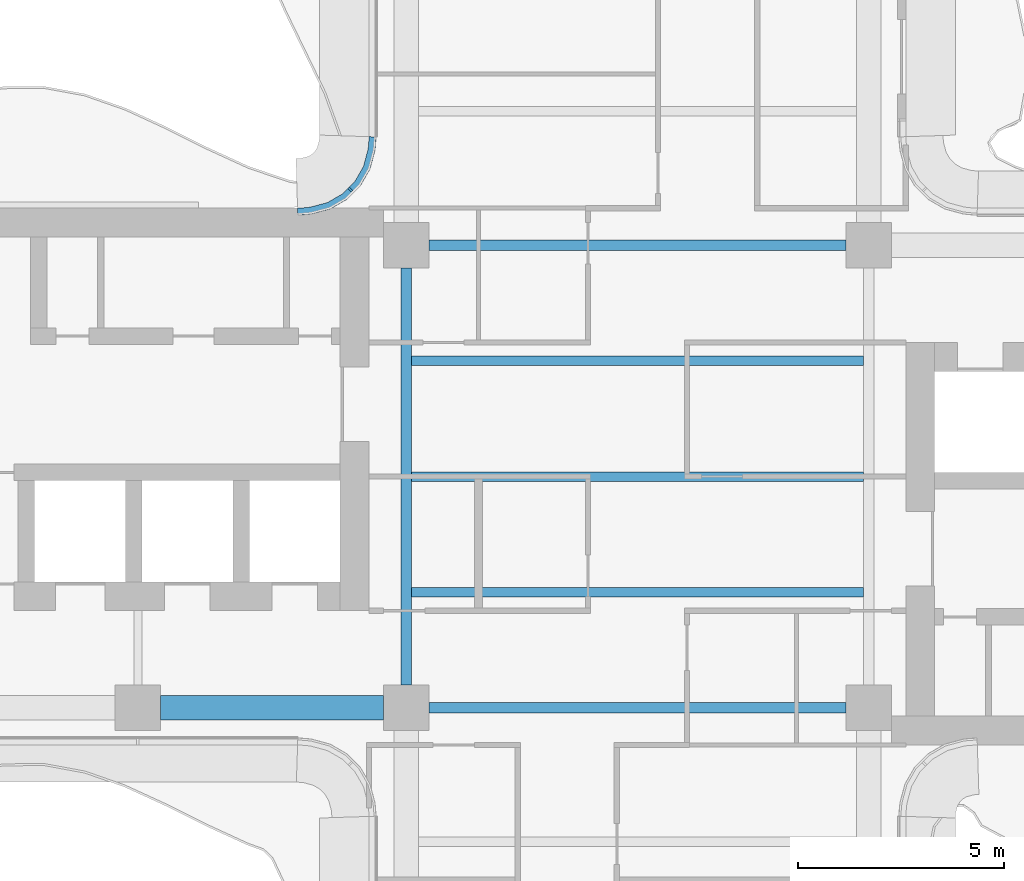
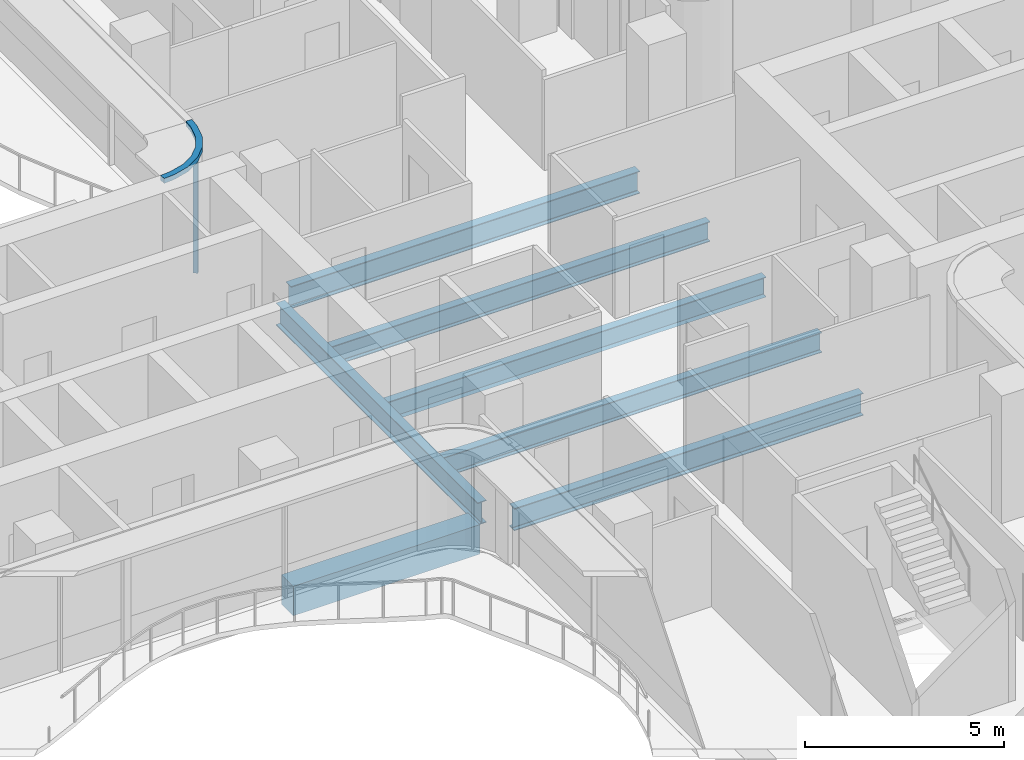
# One storey, part 4 of 17: 7 beams, 2 members, 1 element without a shape of its own.
"""IFC4 building model written with IfcOpenShell, lengths in metres."""

from ifc_helpers import new_model, si_unit, direction, frame, origin, origin_2d, place, context, subcontext, project, spatial, polyline, rectangle, i_section, outline, extrude, source, transform, mapped, material, layer, layer_set, material_profile, profile_set, type_object, element, aggregate, save


model = new_model("IFC4")

# Units and contexts
model_context = context("Model", 3, precision=1e-05, world=origin(), true_north=direction((0.0, 1.0)))
body_context = subcontext(model_context, "Body", "Model", "MODEL_VIEW")
ifc_project = project(units=[si_unit("LENGTHUNIT", "METRE"), si_unit("AREAUNIT", "SQUARE_METRE"), si_unit("VOLUMEUNIT", "CUBIC_METRE"), si_unit("PLANEANGLEUNIT", "RADIAN"), si_unit("MASSUNIT", "GRAM", prefix="KILO")], contexts=[model_context])

# Site, building, storey
site_placement = place(None, origin())
site = spatial("IfcSite", under=ifc_project, at=site_placement, CompositionType="ELEMENT")
building_placement = place(site_placement, origin())
building = spatial("IfcBuilding", under=site, at=building_placement, Name="Trellis Farm Tower", CompositionType="ELEMENT")
storey_placement = place(building_placement, frame((0.0, 0.0, 259.699951171875)))
storey = spatial("IfcBuildingStorey", under=building, at=storey_placement, Name="L58", CompositionType="ELEMENT", Elevation=259.699951171875)

# Beams
ifc_material_1 = material(Name="Steel S355", Category="steel")
ifc_material_profile_1 = material_profile(ifc_material_1, i_section(OverallWidth=0.22900390625, OverallDepth=0.6123046875, WebThickness=0.011962890625, FlangeThickness=0.01953125, FilletRadius=0.0126953125, at=origin_2d()), Name="UB 610x229x125")
ifc_profile_set_1 = profile_set([ifc_material_profile_1], Name="Steel S355")
beam_type_1 = type_object("IfcBeamType", Name="UB 610x229x125 joist", PredefinedType="JOIST", material=ifc_profile_set_1)
shared_shape_1 = source(origin(), body_context, "Body", "SweptSolid", [
    extrude(i_section(OverallWidth=0.22900390625, OverallDepth=0.6123046875, WebThickness=0.011962890625, FlangeThickness=0.01953125, FilletRadius=0.0126953125, at=origin_2d()), origin(), (0.0, 0.0, 1.0), 10.9462890625),
])
for number, where, z_axis, x_axis, name in (
    (1, (-5.47314453125, -2.800048828125, -0.506103515625), (1.0, 0.0, 0.0), (0.0, 1.0, 0.0), "Floor beam"),
    (2, (-5.47314453125, 0.0, -0.506103515625), (1.0, 0.0, 0.0), (0.0, 1.0, 0.0), "Floor beam"),
    (3, (-5.47314453125, 2.800048828125, -0.506103515625), (1.0, 0.0, 0.0), (0.0, 1.0, 0.0), "Floor beam"),
):
    element("IfcBeam", number, at=place(storey_placement, frame(where, z_axis=z_axis, x_axis=x_axis)), inside=storey, type_object=beam_type_1, Name=name, PredefinedType="JOIST", context=body_context, shape_type="MappedRepresentation", body=[
        mapped(shared_shape_1, transform((0.0, 0.0, 0.0))),
    ])
ifc_material_profile_2 = material_profile(ifc_material_1, i_section(OverallWidth=0.253662109375, OverallDepth=0.68359375, WebThickness=0.012451171875, FlangeThickness=0.021728515625, FilletRadius=0.01513671875, at=origin_2d()), Name="UB 686x254x140")
ifc_profile_set_2 = profile_set([ifc_material_profile_2], Name="Steel S355")
beam_type_2 = type_object("IfcBeamType", Name="UB 686x254x140", PredefinedType="BEAM", material=ifc_profile_set_2)
shared_shape_2 = source(origin(), body_context, "Body", "SweptSolid", [
    extrude(i_section(OverallWidth=0.253662109375, OverallDepth=0.68359375, WebThickness=0.012451171875, FlangeThickness=0.021728515625, FilletRadius=0.01513671875, at=origin_2d()), origin(), (0.0, 0.0, 1.0), 10.10009765625),
])
for number, where, z_axis, x_axis, name in (
    (4, (-5.050048828125, -5.60009765625, -0.541748046875), (1.0, 0.0, 0.0), (0.0, 1.0, 0.0), "Girder"),
    (5, (-5.050048828125, 5.60009765625, -0.541748046875), (1.0, 0.0, 0.0), (0.0, 1.0, 0.0), "Girder"),
    (6, (-5.60009765625, -5.050048828125, -0.541748046875), (0.0, 1.0, 0.0), (-1.0, 0.0, 0.0), "Girder"),
):
    element("IfcBeam", number, at=place(storey_placement, frame(where, z_axis=z_axis, x_axis=x_axis)), inside=storey, type_object=beam_type_2, Name=name, PredefinedType="BEAM", context=body_context, shape_type="MappedRepresentation", body=[
        mapped(shared_shape_2, transform((0.0, 0.0, 0.0))),
    ])
ifc_material_2 = material(Name="Concrete C60/75", Category="concrete")
ifc_material_profile_3 = material_profile(ifc_material_2, rectangle(XDim=0.60009765625, YDim=0.89990234375, at=origin_2d()), Name="RC spandrel beam 600x900 C60/75")
ifc_profile_set_3 = profile_set([ifc_material_profile_3], Name="Concrete C60/75")
beam_type_3 = type_object("IfcBeamType", Name="RC spandrel beam 600x900 C60/75", PredefinedType="SPANDREL", material=ifc_profile_set_3)
shared_shape_3 = source(origin(), body_context, "Body", "SweptSolid", [
    extrude(rectangle(XDim=0.60009765625, YDim=0.89990234375, at=origin_2d()), origin(), (0.0, 0.0, 1.0), 5.400146484375),
])
beam_placement = place(storey_placement, frame((-11.550048828125, -5.60009765625, -0.64990234375), z_axis=(1.0, 0.0, 0.0), x_axis=(0.0, 1.0, 0.0)))
element("IfcBeam", 7, at=beam_placement, inside=storey, type_object=beam_type_3, Name="Girder", PredefinedType="SPANDREL", context=body_context, shape_type="MappedRepresentation", body=[
    mapped(shared_shape_3, transform((0.0, 0.0, 0.0))),
])

# Curtain wall, members
ifc_material_3 = material(Name="Aluminium and glass curtain wall", Category="aluminium")
ifc_layer_1 = layer(ifc_material_3, 0.166015625)
ifc_layer_set_1 = layer_set([ifc_layer_1], Name="WINTER GARDEN CURTAIN WALL CW3")
curtain_wall_type = type_object("IfcCurtainWallType", Name="WINTER GARDEN CURTAIN WALL CW3", PredefinedType="NOTDEFINED", material=ifc_layer_set_1)
curtain_wall_placement = place(storey_placement, origin())
curtain_wall = element("IfcCurtainWall", 8, at=curtain_wall_placement, inside=storey, type_object=curtain_wall_type, Name="CW3 004", PredefinedType="NOTDEFINED")
ifc_material_4 = material(Name="Aluminium extrusion 6063-T6", Category="aluminium")
ifc_layer_2 = layer(ifc_material_4, 0.169921875)
ifc_layer_set_2 = layer_set([ifc_layer_2], Name="Aluminium extrusion 6063-T6")
member_type_1 = type_object("IfcMemberType", Name="CW3 TRANSOM 170x150", PredefinedType="USERDEFINED", material=ifc_layer_set_2)
shared_shape_4 = source(origin(), body_context, "Body", "SweptSolid", [
    extrude(outline(polyline([(-6.5, 8.2314453125), (-6.513916015625, 8.01953125), (-6.527587890625, 7.91552734375), (-6.63671875, 7.508544921875), (-6.846923828125, 7.144287109375), (-7.144287109375, 6.846923828125), (-7.508544921875, 6.63671875), (-7.91552734375, 6.527587890625), (-8.01953125, 6.513916015625), (-8.2314453125, 6.5), (-8.225830078125, 6.330078125), (-8.0029296875, 6.3447265625), (-7.88232421875, 6.360595703125), (-7.44287109375, 6.478271484375), (-7.0400390625, 6.7109375), (-6.7109375, 7.0400390625), (-6.478271484375, 7.44287109375), (-6.360595703125, 7.88232421875), (-6.3447265625, 8.0029296875), (-6.330078125, 8.225830078125), (-6.5, 8.2314453125)])), origin(), (0.0, 0.0, 1.0), 0.14990234375),
])
member_1_placement = place(storey_placement, frame((0.0, 0.0, 3.550048828125)))
member_1 = element("IfcMember", 9, at=member_1_placement, type_object=member_type_1, Name="TR3 004", ObjectType="TRANSOM", PredefinedType="USERDEFINED", context=body_context, shape_type="MappedRepresentation", body=[
    mapped(shared_shape_4, transform((0.0, 0.0, 0.0))),
])
ifc_material_profile_4 = material_profile(ifc_material_4, rectangle(XDim=0.050048828125, YDim=0.1201171875, at=origin_2d()), Name="MULLION 50x120")
ifc_profile_set_4 = profile_set([ifc_material_profile_4], Name="Aluminium extrusion 6063-T6")
member_type_2 = type_object("IfcMemberType", Name="CW3 MULLION 50x120", PredefinedType="MULLION", material=ifc_profile_set_4)
shared_shape_5 = source(origin(), body_context, "Body", "SweptSolid", [
    extrude(rectangle(XDim=0.050048828125, YDim=0.1201171875, at=origin_2d()), origin(), (0.0, 0.0, 1.0), 3.550048828125),
])
member_2_placement = place(storey_placement, frame((-6.953125, 6.953125, 0.0), z_axis=(0.0, 0.0, 1.0), x_axis=(-0.707106781187, -0.707106781187, 0.0)))
member_2 = element("IfcMember", 10, at=member_2_placement, type_object=member_type_2, Name="MU3 004-01", PredefinedType="MULLION", context=body_context, shape_type="MappedRepresentation", body=[
    mapped(shared_shape_5, transform((0.0, 0.0, 0.0))),
])
aggregate(curtain_wall, [member_2, member_1])

save(model, "model.ifc")
